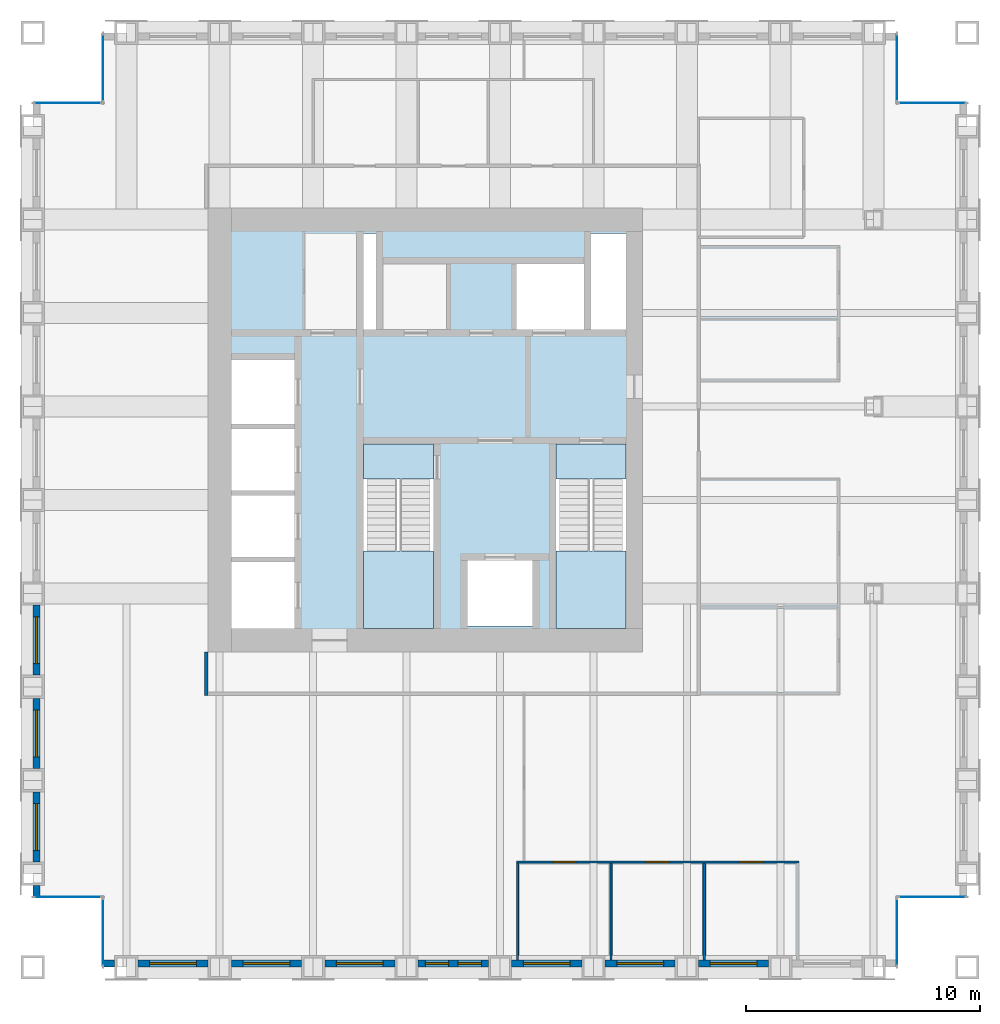
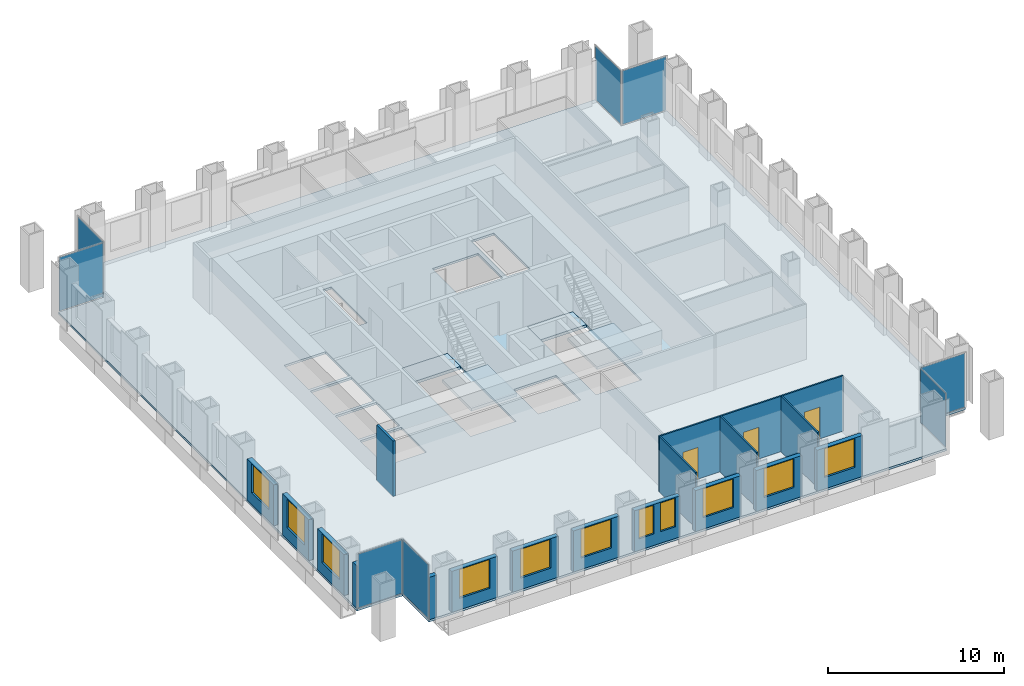
# One storey, part 7 of 11: 17 walls, 11 windows, 8 plates, 5 slabs, 3 doors, 14 openings, 10 elements without a shape of their own.
"""IFC4 building model written with IfcOpenShell, lengths in metres."""

from ifc_helpers import new_model, si_unit, direction, frame, frame_2d, origin, origin_2d, place, context, subcontext, project, spatial, polyline, rectangle, outline, extrude, material, layer, layer_set, type_object, element, fill, aggregate, save


model = new_model("IFC4")

# Units and contexts
model_context = context("Model", 3, precision=1e-05, world=origin(), true_north=direction((0.0, 1.0)))
body_context = subcontext(model_context, "Body", "Model", "MODEL_VIEW")
ifc_project = project(units=[si_unit("LENGTHUNIT", "METRE"), si_unit("AREAUNIT", "SQUARE_METRE"), si_unit("VOLUMEUNIT", "CUBIC_METRE"), si_unit("PLANEANGLEUNIT", "RADIAN"), si_unit("MASSUNIT", "GRAM", prefix="KILO")], contexts=[model_context])

# Site, building, storey
site_placement = place(None, origin())
site = spatial("IfcSite", under=ifc_project, at=site_placement, CompositionType="ELEMENT")
building_placement = place(site_placement, origin())
building = spatial("IfcBuilding", under=site, at=building_placement, Name="Rimbunsela Tower", CompositionType="ELEMENT")
storey_placement = place(building_placement, frame((0.0, 0.0, 246.199951171875)))
storey = spatial("IfcBuildingStorey", under=building, at=storey_placement, Name="L59", CompositionType="ELEMENT", Elevation=246.199951171875)

# Slab
ifc_material_1 = material(Name="Concrete fc' 35 MPa", Category="concrete")
ifc_layer_1 = layer(ifc_material_1, 0.14990234375)
ifc_layer_set_1 = layer_set([ifc_layer_1], Name="Floor slab 150")
slab_type_1 = type_object("IfcSlabType", Name="Floor slab 150", PredefinedType="FLOOR", material=ifc_layer_set_1)
slab_1_placement = place(storey_placement, frame((0.0, 0.0, -0.14990234375)))
element("IfcSlab", 1, at=slab_1_placement, inside=storey, type_object=slab_type_1, Name="Floor slab L59", PredefinedType="FLOOR", context=body_context, shape_type="SweptSolid", body=[
    extrude(outline(polyline([(13.0, 4.0), (47.0, 4.0), (47.0, 7.0), (50.0, 7.0), (50.0, 41.0), (47.0, 41.0), (47.0, 44.0), (13.0, 44.0), (13.0, 41.0), (10.0, 41.0), (10.0, 7.0), (13.0, 7.0), (13.0, 4.0)]), holes=[polyline([(21.199951171875, 21.35009765625), (18.5, 21.35009765625), (18.5, 18.5), (21.199951171875, 18.5), (21.199951171875, 21.35009765625)]), polyline([(21.199951171875, 21.550048828125), (21.199951171875, 24.199951171875), (18.5, 24.199951171875), (18.5, 21.550048828125), (21.199951171875, 21.550048828125)]), polyline([(21.199951171875, 27.050048828125), (18.5, 27.050048828125), (18.5, 24.39990234375), (21.199951171875, 24.39990234375), (21.199951171875, 27.050048828125)]), polyline([(21.199951171875, 30.0), (18.5, 30.0), (18.5, 27.25), (21.199951171875, 27.25), (21.199951171875, 30.0)]), polyline([(27.14990234375, 26.39990234375), (24.14990234375, 26.39990234375), (24.14990234375, 18.60009765625), (27.14990234375, 18.60009765625), (27.14990234375, 26.39990234375)]), polyline([(24.699951171875, 31.300048828125), (24.699951171875, 35.39990234375), (24.14990234375, 35.39990234375), (24.14990234375, 31.300048828125), (24.699951171875, 31.300048828125)]), polyline([(31.39990234375, 21.39990234375), (28.60009765625, 21.39990234375), (28.60009765625, 18.60009765625), (31.39990234375, 18.60009765625), (31.39990234375, 21.39990234375)]), polyline([(33.60009765625, 34.10009765625), (30.60009765625, 34.10009765625), (30.60009765625, 31.300048828125), (33.60009765625, 31.300048828125), (33.60009765625, 34.10009765625)]), polyline([(35.39990234375, 18.60009765625), (35.39990234375, 26.39990234375), (32.39990234375, 26.39990234375), (32.39990234375, 18.60009765625), (35.39990234375, 18.60009765625)]), polyline([(35.39990234375, 31.300048828125), (35.39990234375, 35.39990234375), (33.89990234375, 35.39990234375), (33.89990234375, 31.300048828125), (35.39990234375, 31.300048828125)])]), origin(), (0.0, 0.0, 1.0), 0.14990234375),
])

# Curtain wall, plate
ifc_material_2 = material(Name="Aluminium curtain wall", Category="aluminium")
curtain_wall_type = type_object("IfcCurtainWallType", Name="Corner glazing", PredefinedType="USERDEFINED", material=ifc_material_2)
curtain_wall_1_placement = place(storey_placement, origin())
curtain_wall_1 = element("IfcCurtainWall", 2, at=curtain_wall_1_placement, inside=storey, type_object=curtain_wall_type, Name="Corner glazing L59", ObjectType="CORNER GLAZING", PredefinedType="USERDEFINED")
ifc_material_3 = material(Name="Clear double glazing", Category="glass")
ifc_layer_2 = layer(ifc_material_3, 0.028076171875)
ifc_layer_set_2 = layer_set([ifc_layer_2], Name="Glazed panel clear")
plate_type = type_object("IfcPlateType", Name="Glazed panel clear", PredefinedType="CURTAIN_PANEL", material=ifc_layer_set_2)
plate_1_placement = place(storey_placement, frame((47.0, 5.5, 0.06005859375), z_axis=(0.0, 0.0, 1.0), x_axis=(0.0, 1.0, 0.0)))
plate_1 = element("IfcPlate", 3, at=plate_1_placement, type_object=plate_type, Name="CW5 panel 1.1", PredefinedType="CURTAIN_PANEL", context=body_context, shape_type="SweptSolid", body=[
    extrude(rectangle(XDim=2.8798828125, YDim=0.028076171875, at=origin_2d()), origin(), (0.0, 0.0, 1.0), 3.72998046875),
])
aggregate(curtain_wall_1, [plate_1])

curtain_wall_2_placement = place(storey_placement, origin())
curtain_wall_2 = element("IfcCurtainWall", 4, at=curtain_wall_2_placement, inside=storey, type_object=curtain_wall_type, Name="Corner glazing L59", ObjectType="CORNER GLAZING", PredefinedType="USERDEFINED")
plate_2_placement = place(storey_placement, frame((48.5, 7.0, 0.06005859375), z_axis=(0.0, 0.0, 1.0), x_axis=(1.0, 0.0, 0.0)))
plate_2 = element("IfcPlate", 5, at=plate_2_placement, type_object=plate_type, Name="CW5 panel 1.1", PredefinedType="CURTAIN_PANEL", context=body_context, shape_type="SweptSolid", body=[
    extrude(rectangle(XDim=2.8798828125, YDim=0.028076171875, at=origin_2d()), origin(), (0.0, 0.0, 1.0), 3.72998046875),
])
aggregate(curtain_wall_2, [plate_2])

curtain_wall_3_placement = place(storey_placement, origin())
curtain_wall_3 = element("IfcCurtainWall", 6, at=curtain_wall_3_placement, inside=storey, type_object=curtain_wall_type, Name="Corner glazing L59", ObjectType="CORNER GLAZING", PredefinedType="USERDEFINED")
plate_3_placement = place(storey_placement, frame((48.5, 41.0, 0.06005859375), z_axis=(0.0, 0.0, 1.0), x_axis=(-1.0, 0.0, 0.0)))
plate_3 = element("IfcPlate", 7, at=plate_3_placement, type_object=plate_type, Name="CW5 panel 1.1", PredefinedType="CURTAIN_PANEL", context=body_context, shape_type="SweptSolid", body=[
    extrude(rectangle(XDim=2.8798828125, YDim=0.028076171875, at=origin_2d()), origin(), (0.0, 0.0, 1.0), 3.72998046875),
])
aggregate(curtain_wall_3, [plate_3])

curtain_wall_4_placement = place(storey_placement, origin())
curtain_wall_4 = element("IfcCurtainWall", 8, at=curtain_wall_4_placement, inside=storey, type_object=curtain_wall_type, Name="Corner glazing L59", ObjectType="CORNER GLAZING", PredefinedType="USERDEFINED")
plate_4_placement = place(storey_placement, frame((47.0, 42.5, 0.06005859375), z_axis=(0.0, 0.0, 1.0), x_axis=(0.0, 1.0, 0.0)))
plate_4 = element("IfcPlate", 9, at=plate_4_placement, type_object=plate_type, Name="CW5 panel 1.1", PredefinedType="CURTAIN_PANEL", context=body_context, shape_type="SweptSolid", body=[
    extrude(rectangle(XDim=2.8798828125, YDim=0.028076171875, at=origin_2d()), origin(), (0.0, 0.0, 1.0), 3.72998046875),
])
aggregate(curtain_wall_4, [plate_4])

curtain_wall_5_placement = place(storey_placement, origin())
curtain_wall_5 = element("IfcCurtainWall", 10, at=curtain_wall_5_placement, inside=storey, type_object=curtain_wall_type, Name="Corner glazing L59", ObjectType="CORNER GLAZING", PredefinedType="USERDEFINED")
plate_5_placement = place(storey_placement, frame((13.0, 42.5, 0.06005859375), z_axis=(0.0, 0.0, 1.0), x_axis=(0.0, -1.0, 0.0)))
plate_5 = element("IfcPlate", 11, at=plate_5_placement, type_object=plate_type, Name="CW5 panel 1.1", PredefinedType="CURTAIN_PANEL", context=body_context, shape_type="SweptSolid", body=[
    extrude(rectangle(XDim=2.8798828125, YDim=0.028076171875, at=origin_2d()), origin(), (0.0, 0.0, 1.0), 3.72998046875),
])
aggregate(curtain_wall_5, [plate_5])

curtain_wall_6_placement = place(storey_placement, origin())
curtain_wall_6 = element("IfcCurtainWall", 12, at=curtain_wall_6_placement, inside=storey, type_object=curtain_wall_type, Name="Corner glazing L59", ObjectType="CORNER GLAZING", PredefinedType="USERDEFINED")
plate_6_placement = place(storey_placement, frame((11.5, 41.0, 0.06005859375), z_axis=(0.0, 0.0, 1.0), x_axis=(-1.0, 0.0, 0.0)))
plate_6 = element("IfcPlate", 13, at=plate_6_placement, type_object=plate_type, Name="CW5 panel 1.1", PredefinedType="CURTAIN_PANEL", context=body_context, shape_type="SweptSolid", body=[
    extrude(rectangle(XDim=2.8798828125, YDim=0.028076171875, at=origin_2d()), origin(), (0.0, 0.0, 1.0), 3.72998046875),
])
aggregate(curtain_wall_6, [plate_6])

curtain_wall_7_placement = place(storey_placement, origin())
curtain_wall_7 = element("IfcCurtainWall", 14, at=curtain_wall_7_placement, inside=storey, type_object=curtain_wall_type, Name="Corner glazing L59", ObjectType="CORNER GLAZING", PredefinedType="USERDEFINED")
plate_7_placement = place(storey_placement, frame((11.5, 7.0, 0.06005859375), z_axis=(0.0, 0.0, 1.0), x_axis=(1.0, 0.0, 0.0)))
plate_7 = element("IfcPlate", 15, at=plate_7_placement, type_object=plate_type, Name="CW5 panel 1.1", PredefinedType="CURTAIN_PANEL", context=body_context, shape_type="SweptSolid", body=[
    extrude(rectangle(XDim=2.8798828125, YDim=0.028076171875, at=origin_2d()), origin(), (0.0, 0.0, 1.0), 3.72998046875),
])
aggregate(curtain_wall_7, [plate_7])

curtain_wall_8_placement = place(storey_placement, origin())
curtain_wall_8 = element("IfcCurtainWall", 16, at=curtain_wall_8_placement, inside=storey, type_object=curtain_wall_type, Name="Corner glazing L59", ObjectType="CORNER GLAZING", PredefinedType="USERDEFINED")
plate_8_placement = place(storey_placement, frame((13.0, 5.5, 0.06005859375), z_axis=(0.0, 0.0, 1.0), x_axis=(0.0, -1.0, 0.0)))
plate_8 = element("IfcPlate", 17, at=plate_8_placement, type_object=plate_type, Name="CW5 panel 1.1", PredefinedType="CURTAIN_PANEL", context=body_context, shape_type="SweptSolid", body=[
    extrude(rectangle(XDim=2.8798828125, YDim=0.028076171875, at=origin_2d()), origin(), (0.0, 0.0, 1.0), 3.72998046875),
])
aggregate(curtain_wall_8, [plate_8])

# Stair, slabs
ifc_material_4 = material(Name="Concrete fc' 35 MPa", Category="concrete")
stair_type = type_object("IfcStairType", Name="Exit stair 24 risers", PredefinedType="HALF_TURN_STAIR", material=ifc_material_4)
stair_1_placement = place(storey_placement, origin())
stair_1 = element("IfcStair", 18, at=stair_1_placement, inside=storey, type_object=stair_type, Name="Exit stair A L59", PredefinedType="HALF_TURN_STAIR")
ifc_material_5 = material(Name="Concrete fc' 35 MPa", Category="concrete")
ifc_layer_3 = layer(ifc_material_5, 0.199951171875)
ifc_layer_set_3 = layer_set([ifc_layer_3], Name="Stair landing 200")
slab_type_2 = type_object("IfcSlabType", Name="Stair landing 200", PredefinedType="LANDING", material=ifc_layer_set_3)
slab_2_placement = place(storey_placement, frame((0.0, 0.0, -0.199951171875)))
slab_2 = element("IfcSlab", 19, at=slab_2_placement, type_object=slab_type_2, Name="ST-A landing 1", PredefinedType="LANDING", context=body_context, shape_type="SweptSolid", body=[
    extrude(outline(polyline([(24.14990234375, 24.89990234375), (27.14990234375, 24.89990234375), (27.14990234375, 26.39990234375), (24.14990234375, 26.39990234375), (24.14990234375, 24.89990234375)])), origin(), (0.0, 0.0, 1.0), 0.199951171875),
])
slab_3_placement = place(storey_placement, frame((0.0, 0.0, 1.800048828125)))
slab_3 = element("IfcSlab", 20, at=slab_3_placement, type_object=slab_type_2, Name="ST-A landing 2", PredefinedType="LANDING", context=body_context, shape_type="SweptSolid", body=[
    extrude(outline(polyline([(24.14990234375, 18.5), (27.14990234375, 18.5), (27.14990234375, 21.820068359375), (24.14990234375, 21.820068359375), (24.14990234375, 18.5)])), origin(), (0.0, 0.0, 1.0), 0.199951171875),
])
aggregate(stair_1, [slab_2, slab_3])

stair_2_placement = place(storey_placement, origin())
stair_2 = element("IfcStair", 21, at=stair_2_placement, inside=storey, type_object=stair_type, Name="Exit stair B L59", PredefinedType="HALF_TURN_STAIR")
slab_4_placement = place(storey_placement, frame((0.0, 0.0, -0.199951171875)))
slab_4 = element("IfcSlab", 22, at=slab_4_placement, type_object=slab_type_2, Name="ST-B landing 1", PredefinedType="LANDING", context=body_context, shape_type="SweptSolid", body=[
    extrude(outline(polyline([(32.39990234375, 24.89990234375), (35.39990234375, 24.89990234375), (35.39990234375, 26.39990234375), (32.39990234375, 26.39990234375), (32.39990234375, 24.89990234375)])), origin(), (0.0, 0.0, 1.0), 0.199951171875),
])
slab_5_placement = place(storey_placement, frame((0.0, 0.0, 1.800048828125)))
slab_5 = element("IfcSlab", 23, at=slab_5_placement, type_object=slab_type_2, Name="ST-B landing 2", PredefinedType="LANDING", context=body_context, shape_type="SweptSolid", body=[
    extrude(outline(polyline([(32.39990234375, 18.5), (35.39990234375, 18.5), (35.39990234375, 21.820068359375), (32.39990234375, 21.820068359375), (32.39990234375, 18.5)])), origin(), (0.0, 0.0, 1.0), 0.199951171875),
])
aggregate(stair_2, [slab_4, slab_5])

# Wall, openings, doors
ifc_material_6 = material(Name="Gypsum board on steel studs", Category="steel")
ifc_layer_4 = layer(ifc_material_6, 0.10009765625)
ifc_layer_set_4 = layer_set([ifc_layer_4], Name="Office partition 100")
wall_type_1 = type_object("IfcWallType", Name="Office partition 100", PredefinedType="PARTITIONING", material=ifc_layer_set_4)
wall_1_placement = place(storey_placement, frame((30.699951171875, 8.5, 0.0), z_axis=(0.0, 0.0, 1.0), x_axis=(1.0, 0.0, 0.0)))
wall_1 = element("IfcWall", 24, at=wall_1_placement, inside=storey, type_object=wall_type_1, Name="Office partition", PredefinedType="PARTITIONING", context=body_context, shape_type="SweptSolid", body=[
    extrude(rectangle(XDim=12.10009765625, YDim=0.10009765625, at=frame_2d((6.050048828125, 0.0))), origin(), (0.0, 0.0, 1.0), 3.85009765625),
])
opening_1_placement = place(wall_1_placement, frame((1.550048828125, 0.0, 0.0)))
opening_1 = element("IfcOpeningElement", 25, at=opening_1_placement, cuts=wall_1, Name="Opening D16", PredefinedType="OPENING", context=body_context, shape_type="SweptSolid", body=[
    extrude(rectangle(XDim=1.0, YDim=2.199951171875, at=frame_2d((0.5, 1.10009765625))), frame((0.0, 0.06005859375, 0.0), z_axis=(0.0, -1.0, 0.0), x_axis=(1.0, 0.0, 0.0)), (0.0, 0.0, 1.0), 0.1201171875),
])
opening_2_placement = place(wall_1_placement, frame((5.550048828125, 0.0, 0.0)))
opening_2 = element("IfcOpeningElement", 26, at=opening_2_placement, cuts=wall_1, Name="Opening D16", PredefinedType="OPENING", context=body_context, shape_type="SweptSolid", body=[
    extrude(rectangle(XDim=1.0, YDim=2.199951171875, at=frame_2d((0.5, 1.10009765625))), frame((0.0, 0.06005859375, 0.0), z_axis=(0.0, -1.0, 0.0), x_axis=(1.0, 0.0, 0.0)), (0.0, 0.0, 1.0), 0.1201171875),
])
opening_3_placement = place(wall_1_placement, frame((9.550048828125, 0.0, 0.0)))
opening_3 = element("IfcOpeningElement", 27, at=opening_3_placement, cuts=wall_1, Name="Opening D16", PredefinedType="OPENING", context=body_context, shape_type="SweptSolid", body=[
    extrude(rectangle(XDim=1.0, YDim=2.199951171875, at=frame_2d((0.5, 1.10009765625))), frame((0.0, 0.06005859375, 0.0), z_axis=(0.0, -1.0, 0.0), x_axis=(1.0, 0.0, 0.0)), (0.0, 0.0, 1.0), 0.1201171875),
])
ifc_material_7 = material(Name="Timber door", Category="wood")
door_type = type_object("IfcDoorType", Name="Office door 1000", OperationType="SINGLE_SWING_LEFT", PredefinedType="DOOR", material=ifc_material_7)
door_1_placement = place(opening_1_placement, origin())
door_1 = element("IfcDoor", 28, at=door_1_placement, inside=storey, type_object=door_type, Name="Office door", OperationType="SINGLE_SWING_LEFT", OverallHeight=2.199951171875, OverallWidth=1.0, PredefinedType="DOOR", context=body_context, shape_type="SweptSolid", body=[
    extrude(rectangle(XDim=1.0, YDim=2.199951171875, at=frame_2d((0.5, 1.10009765625))), frame((0.0, 0.02490234375, 0.0), z_axis=(0.0, -1.0, 0.0), x_axis=(1.0, 0.0, 0.0)), (0.0, 0.0, 1.0), 0.050048828125),
])
fill(opening_1, door_1)
door_2_placement = place(opening_2_placement, origin())
door_2 = element("IfcDoor", 29, at=door_2_placement, inside=storey, type_object=door_type, Name="Office door", OperationType="SINGLE_SWING_LEFT", OverallHeight=2.199951171875, OverallWidth=1.0, PredefinedType="DOOR", context=body_context, shape_type="SweptSolid", body=[
    extrude(rectangle(XDim=1.0, YDim=2.199951171875, at=frame_2d((0.5, 1.10009765625))), frame((0.0, 0.02490234375, 0.0), z_axis=(0.0, -1.0, 0.0), x_axis=(1.0, 0.0, 0.0)), (0.0, 0.0, 1.0), 0.050048828125),
])
fill(opening_2, door_2)
door_3_placement = place(opening_3_placement, origin())
door_3 = element("IfcDoor", 30, at=door_3_placement, inside=storey, type_object=door_type, Name="Office door", OperationType="SINGLE_SWING_LEFT", OverallHeight=2.199951171875, OverallWidth=1.0, PredefinedType="DOOR", context=body_context, shape_type="SweptSolid", body=[
    extrude(rectangle(XDim=1.0, YDim=2.199951171875, at=frame_2d((0.5, 1.10009765625))), frame((0.0, 0.02490234375, 0.0), z_axis=(0.0, -1.0, 0.0), x_axis=(1.0, 0.0, 0.0)), (0.0, 0.0, 1.0), 0.050048828125),
])
fill(opening_3, door_3)

# Walls
for number, where, z_axis, x_axis, name in (
    (31, (30.75, 4.300048828125, 0.0), (0.0, 0.0, 1.0), (0.0, 1.0, 0.0), "Office partition"),
    (32, (34.75, 4.300048828125, 0.0), (0.0, 0.0, 1.0), (0.0, 1.0, 0.0), "Office partition"),
    (33, (38.75, 4.300048828125, 0.0), (0.0, 0.0, 1.0), (0.0, 1.0, 0.0), "Office partition"),
):
    element("IfcWall", number, at=place(storey_placement, frame(where, z_axis=z_axis, x_axis=x_axis)), inside=storey, type_object=wall_type_1, Name=name, PredefinedType="PARTITIONING", context=body_context, shape_type="SweptSolid", body=[
        extrude(rectangle(XDim=4.14990234375, YDim=0.10009765625, at=frame_2d((2.074951171875, 0.0))), origin(), (0.0, 0.0, 1.0), 3.85009765625),
    ])
ifc_material_8 = material(Name="Precast concrete fc' 35 MPa", Category="concrete")
ifc_layer_5 = layer(ifc_material_8, 0.300048828125)
ifc_layer_set_5 = layer_set([ifc_layer_5], Name="Precast concrete fc' 35 MPa")
wall_type_2 = type_object("IfcWallType", Name="Precast facade panel 300", PredefinedType="ELEMENTEDWALL", material=ifc_layer_set_5)
wall_2_placement = place(storey_placement, frame((13.030029296875, 4.14990234375, 0.0), z_axis=(0.0, 0.0, 1.0), x_axis=(1.0, 0.0, 0.0)))
element("IfcWall", 34, at=wall_2_placement, inside=storey, type_object=wall_type_2, Name="Facade panel S L59", PredefinedType="ELEMENTEDWALL", context=body_context, shape_type="SweptSolid", body=[
    extrude(rectangle(XDim=0.469970703125, YDim=0.300048828125, at=frame_2d((0.23486328125, 0.0))), origin(), (0.0, 0.0, 1.0), 2.949951171875),
])

# Wall, opening, window
wall_3_placement = place(storey_placement, frame((14.5, 4.14990234375, 0.0), z_axis=(0.0, 0.0, 1.0), x_axis=(1.0, 0.0, 0.0)))
wall_3 = element("IfcWall", 35, at=wall_3_placement, inside=storey, type_object=wall_type_2, Name="Facade panel S L59", PredefinedType="ELEMENTEDWALL", context=body_context, shape_type="SweptSolid", body=[
    extrude(rectangle(XDim=3.0, YDim=0.300048828125, at=frame_2d((1.5, 0.0))), origin(), (0.0, 0.0, 1.0), 2.85009765625),
])
opening_4_placement = place(wall_3_placement, frame((0.5, 0.0, 0.800048828125)))
opening_4 = element("IfcOpeningElement", 36, at=opening_4_placement, cuts=wall_3, Name="Opening W1", PredefinedType="OPENING", context=body_context, shape_type="SweptSolid", body=[
    extrude(rectangle(XDim=2.0, YDim=2.0, at=frame_2d((1.0, 1.0))), frame((0.0, 0.159912109375, 0.0), z_axis=(0.0, -1.0, 0.0), x_axis=(1.0, 0.0, 0.0)), (0.0, 0.0, 1.0), 0.320068359375),
])
ifc_material_9 = material(Name="Clear glass in aluminium frame", Category="aluminium")
window_type_1 = type_object("IfcWindowType", Name="Window W1 2000x2000", PartitioningType="DOUBLE_PANEL_VERTICAL", PredefinedType="WINDOW", material=ifc_material_9)
window_1_placement = place(opening_4_placement, origin())
window_1 = element("IfcWindow", 37, at=window_1_placement, inside=storey, type_object=window_type_1, Name="Window L59", OverallHeight=2.0, OverallWidth=2.0, PartitioningType="SINGLE_PANEL", PredefinedType="WINDOW", context=body_context, shape_type="SweptSolid", body=[
    extrude(rectangle(XDim=2.0, YDim=2.0, at=frame_2d((1.0, 1.0))), frame((0.0, 0.030029296875, 0.0), z_axis=(0.0, -1.0, 0.0), x_axis=(1.0, 0.0, 0.0)), (0.0, 0.0, 1.0), 0.06005859375),
])
fill(opening_4, window_1)

wall_4_placement = place(storey_placement, frame((18.5, 4.14990234375, 0.0), z_axis=(0.0, 0.0, 1.0), x_axis=(1.0, 0.0, 0.0)))
wall_4 = element("IfcWall", 38, at=wall_4_placement, inside=storey, type_object=wall_type_2, Name="Facade panel S L59", PredefinedType="ELEMENTEDWALL", context=body_context, shape_type="SweptSolid", body=[
    extrude(rectangle(XDim=3.0, YDim=0.300048828125, at=frame_2d((1.5, 0.0))), origin(), (0.0, 0.0, 1.0), 2.85009765625),
])
opening_5_placement = place(wall_4_placement, frame((0.5, 0.0, 0.800048828125)))
opening_5 = element("IfcOpeningElement", 39, at=opening_5_placement, cuts=wall_4, Name="Opening W1", PredefinedType="OPENING", context=body_context, shape_type="SweptSolid", body=[
    extrude(rectangle(XDim=2.0, YDim=2.0, at=frame_2d((1.0, 1.0))), frame((0.0, 0.159912109375, 0.0), z_axis=(0.0, -1.0, 0.0), x_axis=(1.0, 0.0, 0.0)), (0.0, 0.0, 1.0), 0.320068359375),
])
window_2_placement = place(opening_5_placement, origin())
window_2 = element("IfcWindow", 40, at=window_2_placement, inside=storey, type_object=window_type_1, Name="Window L59", OverallHeight=2.0, OverallWidth=2.0, PartitioningType="SINGLE_PANEL", PredefinedType="WINDOW", context=body_context, shape_type="SweptSolid", body=[
    extrude(rectangle(XDim=2.0, YDim=2.0, at=frame_2d((1.0, 1.0))), frame((0.0, 0.030029296875, 0.0), z_axis=(0.0, -1.0, 0.0), x_axis=(1.0, 0.0, 0.0)), (0.0, 0.0, 1.0), 0.06005859375),
])
fill(opening_5, window_2)

wall_5_placement = place(storey_placement, frame((22.5, 4.14990234375, 0.0), z_axis=(0.0, 0.0, 1.0), x_axis=(1.0, 0.0, 0.0)))
wall_5 = element("IfcWall", 41, at=wall_5_placement, inside=storey, type_object=wall_type_2, Name="Facade panel S L59", PredefinedType="ELEMENTEDWALL", context=body_context, shape_type="SweptSolid", body=[
    extrude(rectangle(XDim=3.0, YDim=0.300048828125, at=frame_2d((1.5, 0.0))), origin(), (0.0, 0.0, 1.0), 2.85009765625),
])
opening_6_placement = place(wall_5_placement, frame((0.5, 0.0, 0.800048828125)))
opening_6 = element("IfcOpeningElement", 42, at=opening_6_placement, cuts=wall_5, Name="Opening W1", PredefinedType="OPENING", context=body_context, shape_type="SweptSolid", body=[
    extrude(rectangle(XDim=2.0, YDim=2.0, at=frame_2d((1.0, 1.0))), frame((0.0, 0.159912109375, 0.0), z_axis=(0.0, -1.0, 0.0), x_axis=(1.0, 0.0, 0.0)), (0.0, 0.0, 1.0), 0.320068359375),
])
window_3_placement = place(opening_6_placement, origin())
window_3 = element("IfcWindow", 43, at=window_3_placement, inside=storey, type_object=window_type_1, Name="Window L59", OverallHeight=2.0, OverallWidth=2.0, PartitioningType="SINGLE_PANEL", PredefinedType="WINDOW", context=body_context, shape_type="SweptSolid", body=[
    extrude(rectangle(XDim=2.0, YDim=2.0, at=frame_2d((1.0, 1.0))), frame((0.0, 0.030029296875, 0.0), z_axis=(0.0, -1.0, 0.0), x_axis=(1.0, 0.0, 0.0)), (0.0, 0.0, 1.0), 0.06005859375),
])
fill(opening_6, window_3)

# Wall, openings, windows
wall_6_placement = place(storey_placement, frame((26.5, 4.14990234375, 0.0), z_axis=(0.0, 0.0, 1.0), x_axis=(1.0, 0.0, 0.0)))
wall_6 = element("IfcWall", 44, at=wall_6_placement, inside=storey, type_object=wall_type_2, Name="Facade panel S L59", PredefinedType="ELEMENTEDWALL", context=body_context, shape_type="SweptSolid", body=[
    extrude(rectangle(XDim=3.0, YDim=0.300048828125, at=frame_2d((1.5, 0.0))), origin(), (0.0, 0.0, 1.0), 2.85009765625),
])
opening_7_placement = place(wall_6_placement, frame((0.300048828125, 0.0, 0.800048828125)))
opening_7 = element("IfcOpeningElement", 45, at=opening_7_placement, cuts=wall_6, Name="Opening W5", PredefinedType="OPENING", context=body_context, shape_type="SweptSolid", body=[
    extrude(rectangle(XDim=1.0, YDim=2.0, at=frame_2d((0.5, 1.0))), frame((0.0, 0.159912109375, 0.0), z_axis=(0.0, -1.0, 0.0), x_axis=(1.0, 0.0, 0.0)), (0.0, 0.0, 1.0), 0.320068359375),
])
opening_8_placement = place(wall_6_placement, frame((1.699951171875, 0.0, 0.800048828125)))
opening_8 = element("IfcOpeningElement", 46, at=opening_8_placement, cuts=wall_6, Name="Opening W5", PredefinedType="OPENING", context=body_context, shape_type="SweptSolid", body=[
    extrude(rectangle(XDim=1.0, YDim=2.0, at=frame_2d((0.5, 1.0))), frame((0.0, 0.159912109375, 0.0), z_axis=(0.0, -1.0, 0.0), x_axis=(1.0, 0.0, 0.0)), (0.0, 0.0, 1.0), 0.320068359375),
])
ifc_material_10 = material(Name="Clear glass in aluminium frame", Category="aluminium")
window_type_2 = type_object("IfcWindowType", Name="Window W5 1000x2000", PartitioningType="SINGLE_PANEL", PredefinedType="WINDOW", material=ifc_material_10)
window_4_placement = place(opening_7_placement, origin())
window_4 = element("IfcWindow", 47, at=window_4_placement, inside=storey, type_object=window_type_2, Name="Window L59", OverallHeight=2.0, OverallWidth=1.0, PartitioningType="SINGLE_PANEL", PredefinedType="WINDOW", context=body_context, shape_type="SweptSolid", body=[
    extrude(rectangle(XDim=1.0, YDim=2.0, at=frame_2d((0.5, 1.0))), frame((0.0, 0.030029296875, 0.0), z_axis=(0.0, -1.0, 0.0), x_axis=(1.0, 0.0, 0.0)), (0.0, 0.0, 1.0), 0.06005859375),
])
fill(opening_7, window_4)
window_5_placement = place(opening_8_placement, origin())
window_5 = element("IfcWindow", 48, at=window_5_placement, inside=storey, type_object=window_type_2, Name="Window L59", OverallHeight=2.0, OverallWidth=1.0, PartitioningType="SINGLE_PANEL", PredefinedType="WINDOW", context=body_context, shape_type="SweptSolid", body=[
    extrude(rectangle(XDim=1.0, YDim=2.0, at=frame_2d((0.5, 1.0))), frame((0.0, 0.030029296875, 0.0), z_axis=(0.0, -1.0, 0.0), x_axis=(1.0, 0.0, 0.0)), (0.0, 0.0, 1.0), 0.06005859375),
])
fill(opening_8, window_5)

# Wall, opening, window
wall_7_placement = place(storey_placement, frame((30.5, 4.14990234375, 0.0), z_axis=(0.0, 0.0, 1.0), x_axis=(1.0, 0.0, 0.0)))
wall_7 = element("IfcWall", 49, at=wall_7_placement, inside=storey, type_object=wall_type_2, Name="Facade panel S L59", PredefinedType="ELEMENTEDWALL", context=body_context, shape_type="SweptSolid", body=[
    extrude(rectangle(XDim=3.0, YDim=0.300048828125, at=frame_2d((1.5, 0.0))), origin(), (0.0, 0.0, 1.0), 2.85009765625),
])
opening_9_placement = place(wall_7_placement, frame((0.5, 0.0, 0.800048828125)))
opening_9 = element("IfcOpeningElement", 50, at=opening_9_placement, cuts=wall_7, Name="Opening W1", PredefinedType="OPENING", context=body_context, shape_type="SweptSolid", body=[
    extrude(rectangle(XDim=2.0, YDim=2.0, at=frame_2d((1.0, 1.0))), frame((0.0, 0.159912109375, 0.0), z_axis=(0.0, -1.0, 0.0), x_axis=(1.0, 0.0, 0.0)), (0.0, 0.0, 1.0), 0.320068359375),
])
window_6_placement = place(opening_9_placement, origin())
window_6 = element("IfcWindow", 51, at=window_6_placement, inside=storey, type_object=window_type_1, Name="Window L59", OverallHeight=2.0, OverallWidth=2.0, PartitioningType="SINGLE_PANEL", PredefinedType="WINDOW", context=body_context, shape_type="SweptSolid", body=[
    extrude(rectangle(XDim=2.0, YDim=2.0, at=frame_2d((1.0, 1.0))), frame((0.0, 0.030029296875, 0.0), z_axis=(0.0, -1.0, 0.0), x_axis=(1.0, 0.0, 0.0)), (0.0, 0.0, 1.0), 0.06005859375),
])
fill(opening_9, window_6)

wall_8_placement = place(storey_placement, frame((34.5, 4.14990234375, 0.0), z_axis=(0.0, 0.0, 1.0), x_axis=(1.0, 0.0, 0.0)))
wall_8 = element("IfcWall", 52, at=wall_8_placement, inside=storey, type_object=wall_type_2, Name="Facade panel S L59", PredefinedType="ELEMENTEDWALL", context=body_context, shape_type="SweptSolid", body=[
    extrude(rectangle(XDim=3.0, YDim=0.300048828125, at=frame_2d((1.5, 0.0))), origin(), (0.0, 0.0, 1.0), 2.85009765625),
])
opening_10_placement = place(wall_8_placement, frame((0.5, 0.0, 0.800048828125)))
opening_10 = element("IfcOpeningElement", 53, at=opening_10_placement, cuts=wall_8, Name="Opening W1", PredefinedType="OPENING", context=body_context, shape_type="SweptSolid", body=[
    extrude(rectangle(XDim=2.0, YDim=2.0, at=frame_2d((1.0, 1.0))), frame((0.0, 0.159912109375, 0.0), z_axis=(0.0, -1.0, 0.0), x_axis=(1.0, 0.0, 0.0)), (0.0, 0.0, 1.0), 0.320068359375),
])
window_7_placement = place(opening_10_placement, origin())
window_7 = element("IfcWindow", 54, at=window_7_placement, inside=storey, type_object=window_type_1, Name="Window L59", OverallHeight=2.0, OverallWidth=2.0, PartitioningType="SINGLE_PANEL", PredefinedType="WINDOW", context=body_context, shape_type="SweptSolid", body=[
    extrude(rectangle(XDim=2.0, YDim=2.0, at=frame_2d((1.0, 1.0))), frame((0.0, 0.030029296875, 0.0), z_axis=(0.0, -1.0, 0.0), x_axis=(1.0, 0.0, 0.0)), (0.0, 0.0, 1.0), 0.06005859375),
])
fill(opening_10, window_7)

wall_9_placement = place(storey_placement, frame((38.5, 4.14990234375, 0.0), z_axis=(0.0, 0.0, 1.0), x_axis=(1.0, 0.0, 0.0)))
wall_9 = element("IfcWall", 55, at=wall_9_placement, inside=storey, type_object=wall_type_2, Name="Facade panel S L59", PredefinedType="ELEMENTEDWALL", context=body_context, shape_type="SweptSolid", body=[
    extrude(rectangle(XDim=3.0, YDim=0.300048828125, at=frame_2d((1.5, 0.0))), origin(), (0.0, 0.0, 1.0), 2.85009765625),
])
opening_11_placement = place(wall_9_placement, frame((0.5, 0.0, 0.800048828125)))
opening_11 = element("IfcOpeningElement", 56, at=opening_11_placement, cuts=wall_9, Name="Opening W1", PredefinedType="OPENING", context=body_context, shape_type="SweptSolid", body=[
    extrude(rectangle(XDim=2.0, YDim=2.0, at=frame_2d((1.0, 1.0))), frame((0.0, 0.159912109375, 0.0), z_axis=(0.0, -1.0, 0.0), x_axis=(1.0, 0.0, 0.0)), (0.0, 0.0, 1.0), 0.320068359375),
])
window_8_placement = place(opening_11_placement, origin())
window_8 = element("IfcWindow", 57, at=window_8_placement, inside=storey, type_object=window_type_1, Name="Window L59", OverallHeight=2.0, OverallWidth=2.0, PartitioningType="SINGLE_PANEL", PredefinedType="WINDOW", context=body_context, shape_type="SweptSolid", body=[
    extrude(rectangle(XDim=2.0, YDim=2.0, at=frame_2d((1.0, 1.0))), frame((0.0, 0.030029296875, 0.0), z_axis=(0.0, -1.0, 0.0), x_axis=(1.0, 0.0, 0.0)), (0.0, 0.0, 1.0), 0.06005859375),
])
fill(opening_11, window_8)

# Wall
wall_10_placement = place(storey_placement, frame((10.14990234375, 7.5, 0.0), z_axis=(0.0, 0.0, 1.0), x_axis=(0.0, -1.0, 0.0)))
element("IfcWall", 58, at=wall_10_placement, inside=storey, type_object=wall_type_2, Name="Facade panel W L59", PredefinedType="ELEMENTEDWALL", context=body_context, shape_type="SweptSolid", body=[
    extrude(rectangle(XDim=0.469970703125, YDim=0.300048828125, at=frame_2d((0.23486328125, 0.0))), origin(), (0.0, 0.0, 1.0), 2.949951171875),
])

# Wall, opening, window
wall_11_placement = place(storey_placement, frame((10.14990234375, 11.5, 0.0), z_axis=(0.0, 0.0, 1.0), x_axis=(0.0, -1.0, 0.0)))
wall_11 = element("IfcWall", 59, at=wall_11_placement, inside=storey, type_object=wall_type_2, Name="Facade panel W L59", PredefinedType="ELEMENTEDWALL", context=body_context, shape_type="SweptSolid", body=[
    extrude(rectangle(XDim=3.0, YDim=0.300048828125, at=frame_2d((1.5, 0.0))), origin(), (0.0, 0.0, 1.0), 2.85009765625),
])
opening_12_placement = place(wall_11_placement, frame((0.5, 0.0, 0.800048828125)))
opening_12 = element("IfcOpeningElement", 60, at=opening_12_placement, cuts=wall_11, Name="Opening W1", PredefinedType="OPENING", context=body_context, shape_type="SweptSolid", body=[
    extrude(rectangle(XDim=2.0, YDim=2.0, at=frame_2d((1.0, 1.0))), frame((0.0, 0.159912109375, 0.0), z_axis=(0.0, -1.0, 0.0), x_axis=(1.0, 0.0, 0.0)), (0.0, 0.0, 1.0), 0.320068359375),
])
window_9_placement = place(opening_12_placement, origin())
window_9 = element("IfcWindow", 61, at=window_9_placement, inside=storey, type_object=window_type_1, Name="Window L59", OverallHeight=2.0, OverallWidth=2.0, PartitioningType="SINGLE_PANEL", PredefinedType="WINDOW", context=body_context, shape_type="SweptSolid", body=[
    extrude(rectangle(XDim=2.0, YDim=2.0, at=frame_2d((1.0, 1.0))), frame((0.0, 0.030029296875, 0.0), z_axis=(0.0, -1.0, 0.0), x_axis=(1.0, 0.0, 0.0)), (0.0, 0.0, 1.0), 0.06005859375),
])
fill(opening_12, window_9)

wall_12_placement = place(storey_placement, frame((10.14990234375, 15.5, 0.0), z_axis=(0.0, 0.0, 1.0), x_axis=(0.0, -1.0, 0.0)))
wall_12 = element("IfcWall", 62, at=wall_12_placement, inside=storey, type_object=wall_type_2, Name="Facade panel W L59", PredefinedType="ELEMENTEDWALL", context=body_context, shape_type="SweptSolid", body=[
    extrude(rectangle(XDim=3.0, YDim=0.300048828125, at=frame_2d((1.5, 0.0))), origin(), (0.0, 0.0, 1.0), 2.85009765625),
])
opening_13_placement = place(wall_12_placement, frame((0.5, 0.0, 0.800048828125)))
opening_13 = element("IfcOpeningElement", 63, at=opening_13_placement, cuts=wall_12, Name="Opening W1", PredefinedType="OPENING", context=body_context, shape_type="SweptSolid", body=[
    extrude(rectangle(XDim=2.0, YDim=2.0, at=frame_2d((1.0, 1.0))), frame((0.0, 0.159912109375, 0.0), z_axis=(0.0, -1.0, 0.0), x_axis=(1.0, 0.0, 0.0)), (0.0, 0.0, 1.0), 0.320068359375),
])
window_10_placement = place(opening_13_placement, origin())
window_10 = element("IfcWindow", 64, at=window_10_placement, inside=storey, type_object=window_type_1, Name="Window L59", OverallHeight=2.0, OverallWidth=2.0, PartitioningType="SINGLE_PANEL", PredefinedType="WINDOW", context=body_context, shape_type="SweptSolid", body=[
    extrude(rectangle(XDim=2.0, YDim=2.0, at=frame_2d((1.0, 1.0))), frame((0.0, 0.030029296875, 0.0), z_axis=(0.0, -1.0, 0.0), x_axis=(1.0, 0.0, 0.0)), (0.0, 0.0, 1.0), 0.06005859375),
])
fill(opening_13, window_10)

wall_13_placement = place(storey_placement, frame((10.14990234375, 19.5, 0.0), z_axis=(0.0, 0.0, 1.0), x_axis=(0.0, -1.0, 0.0)))
wall_13 = element("IfcWall", 65, at=wall_13_placement, inside=storey, type_object=wall_type_2, Name="Facade panel W L59", PredefinedType="ELEMENTEDWALL", context=body_context, shape_type="SweptSolid", body=[
    extrude(rectangle(XDim=3.0, YDim=0.300048828125, at=frame_2d((1.5, 0.0))), origin(), (0.0, 0.0, 1.0), 2.85009765625),
])
opening_14_placement = place(wall_13_placement, frame((0.5, 0.0, 0.800048828125)))
opening_14 = element("IfcOpeningElement", 66, at=opening_14_placement, cuts=wall_13, Name="Opening W1", PredefinedType="OPENING", context=body_context, shape_type="SweptSolid", body=[
    extrude(rectangle(XDim=2.0, YDim=2.0, at=frame_2d((1.0, 1.0))), frame((0.0, 0.159912109375, 0.0), z_axis=(0.0, -1.0, 0.0), x_axis=(1.0, 0.0, 0.0)), (0.0, 0.0, 1.0), 0.320068359375),
])
window_11_placement = place(opening_14_placement, origin())
window_11 = element("IfcWindow", 67, at=window_11_placement, inside=storey, type_object=window_type_1, Name="Window L59", OverallHeight=2.0, OverallWidth=2.0, PartitioningType="SINGLE_PANEL", PredefinedType="WINDOW", context=body_context, shape_type="SweptSolid", body=[
    extrude(rectangle(XDim=2.0, YDim=2.0, at=frame_2d((1.0, 1.0))), frame((0.0, 0.030029296875, 0.0), z_axis=(0.0, -1.0, 0.0), x_axis=(1.0, 0.0, 0.0)), (0.0, 0.0, 1.0), 0.06005859375),
])
fill(opening_14, window_11)

# Wall
ifc_material_11 = material(Name="Fire-rated gypsum board on steel studs, EI 60", Category="steel")
ifc_layer_6 = layer(ifc_material_11, 0.14990234375)
ifc_layer_set_6 = layer_set([ifc_layer_6], Name="Rated corridor wall 150")
wall_type_3 = type_object("IfcWallType", Name="Rated corridor wall 150", PredefinedType="PARTITIONING", material=ifc_layer_set_6)
wall_14_placement = place(storey_placement, frame((17.425048828125, 15.625, 0.0), z_axis=(0.0, 0.0, 1.0), x_axis=(0.0, 1.0, 0.0)))
element("IfcWall", 68, at=wall_14_placement, inside=storey, type_object=wall_type_3, Name="Corridor end wall south", PredefinedType="PARTITIONING", context=body_context, shape_type="SweptSolid", body=[
    extrude(rectangle(XDim=1.875, YDim=0.14990234375, at=frame_2d((0.9375, 0.0))), origin(), (0.0, 0.0, 1.0), 3.85009765625),
])

save(model, "model.ifc")
